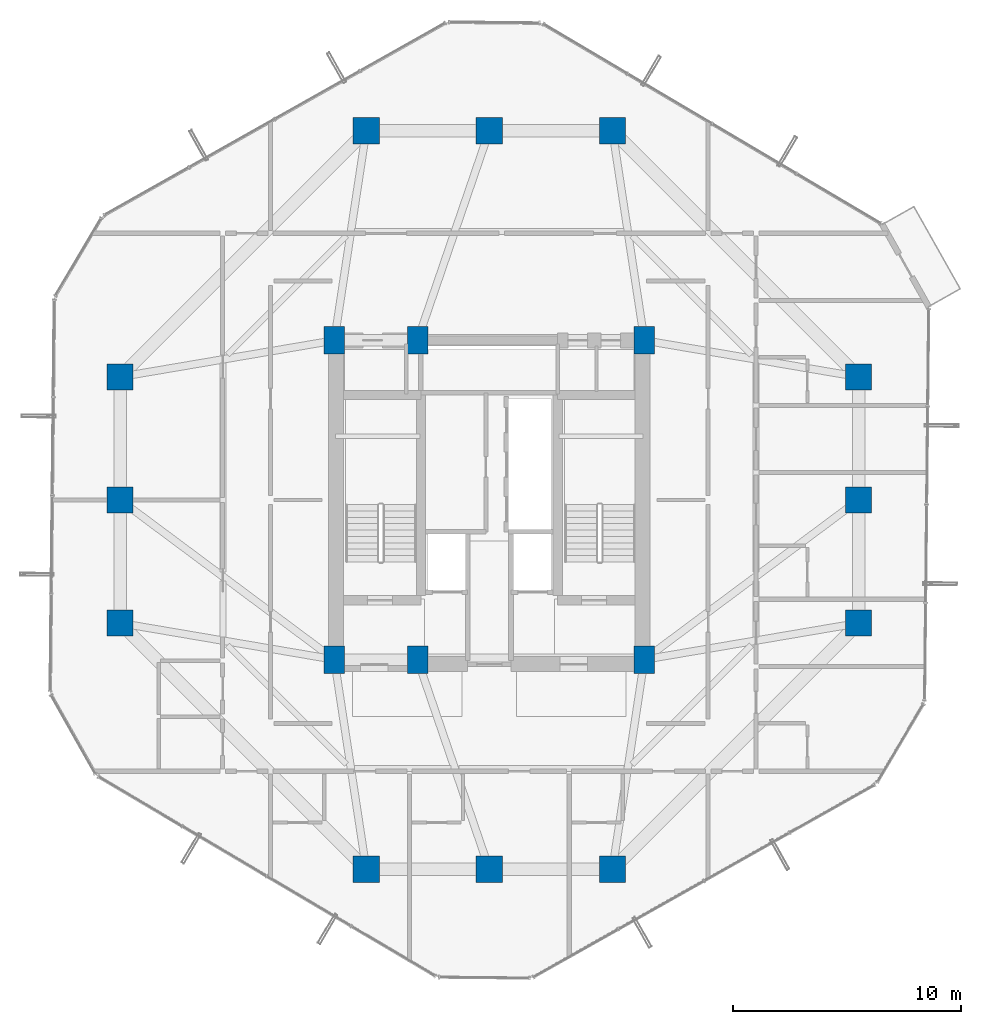
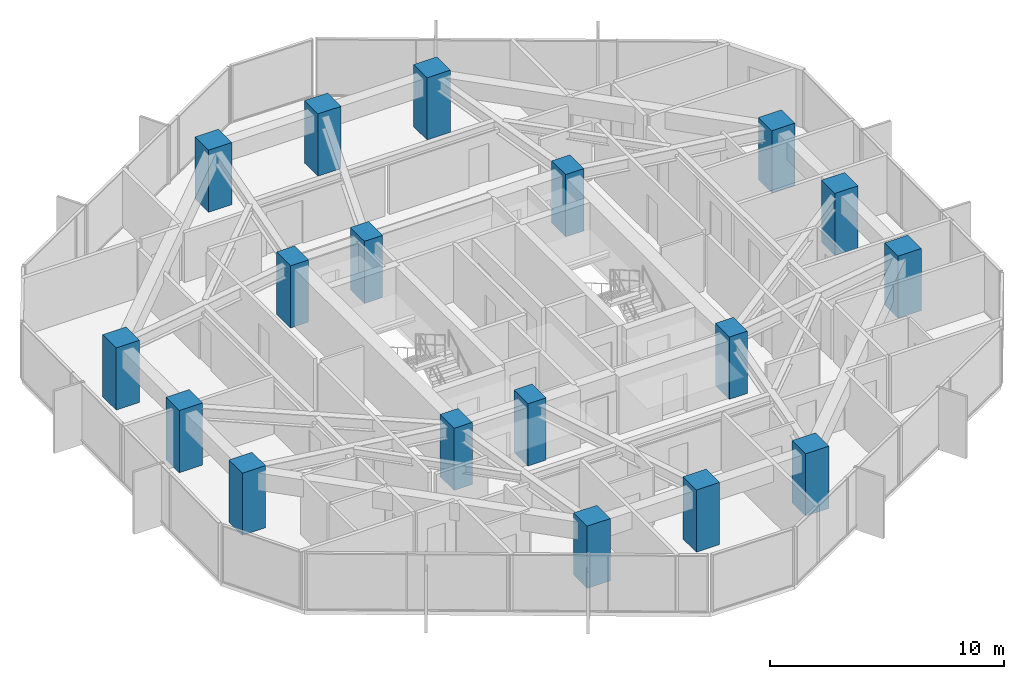
# One storey, part 1 of 30: 18 columns.
"""IFC4 building model written with IfcOpenShell, lengths in metres."""

from ifc_helpers import new_model, si_unit, direction, frame, origin, origin_2d, place, context, subcontext, project, spatial, rectangle, extrude, material, material_profile, profile_set, type_object, element, save


model = new_model("IFC4")

# Units and contexts
model_context = context("Model", 3, precision=1e-05, world=origin(), true_north=direction((0.0, 1.0)))
body_context = subcontext(model_context, "Body", "Model", "MODEL_VIEW")
ifc_project = project(units=[si_unit("LENGTHUNIT", "METRE"), si_unit("AREAUNIT", "SQUARE_METRE"), si_unit("VOLUMEUNIT", "CUBIC_METRE"), si_unit("PLANEANGLEUNIT", "RADIAN"), si_unit("MASSUNIT", "GRAM", prefix="KILO")], contexts=[model_context])

# Site, building, storey
site_placement = place(None, origin())
site = spatial("IfcSite", under=ifc_project, at=site_placement, CompositionType="ELEMENT")
building_placement = place(site_placement, origin())
building = spatial("IfcBuilding", under=site, at=building_placement, Name="Veraguas Prism Commons", CompositionType="ELEMENT")
storey_placement = place(building_placement, frame((0.0, 0.0, 126.25)))
storey = spatial("IfcBuildingStorey", under=building, at=storey_placement, Name="L35", CompositionType="ELEMENT", Elevation=126.25)

# Columns
ifc_material = material(Name="Concrete C60/75", Category="concrete")
ifc_material_profile_1 = material_profile(ifc_material, rectangle(XDim=1.14990234375, YDim=1.14990234375, at=origin_2d()), Name="RC1150X1150")
ifc_profile_set_1 = profile_set([ifc_material_profile_1], Name="Concrete C60/75")
column_type_1 = type_object("IfcColumnType", Name="Column Tube Z2 RC 1150x1150", PredefinedType="COLUMN", material=ifc_profile_set_1)
for number, where, z_axis, x_axis, name in (
    (1, (40.199951171875, 18.60009765625, 0.0), (0.0, 0.0, 1.0), (1.0, 0.0, 0.0), "Tower Perimeter Column L35-TB01"),
    (2, (40.199951171875, 24.0, 0.0), (0.0, 0.0, 1.0), (1.0, 0.0, 0.0), "Tower Perimeter Column L35-TB02"),
    (3, (40.199951171875, 29.39990234375, 0.0), (0.0, 0.0, 1.0), (1.0, 0.0, 0.0), "Tower Perimeter Column L35-TB03"),
    (4, (29.39990234375, 40.199951171875, 0.0), (0.0, 0.0, 1.0), (1.0, 0.0, 0.0), "Tower Perimeter Column L35-TB04"),
    (5, (24.0, 40.199951171875, 0.0), (0.0, 0.0, 1.0), (1.0, 0.0, 0.0), "Tower Perimeter Column L35-TB05"),
    (6, (18.60009765625, 40.199951171875, 0.0), (0.0, 0.0, 1.0), (1.0, 0.0, 0.0), "Tower Perimeter Column L35-TB06"),
    (7, (7.800048828125, 29.39990234375, 0.0), (0.0, 0.0, 1.0), (1.0, 0.0, 0.0), "Tower Perimeter Column L35-TB07"),
    (8, (7.800048828125, 24.0, 0.0), (0.0, 0.0, 1.0), (1.0, 0.0, 0.0), "Tower Perimeter Column L35-TB08"),
    (9, (7.800048828125, 18.60009765625, 0.0), (0.0, 0.0, 1.0), (1.0, 0.0, 0.0), "Tower Perimeter Column L35-TB09"),
    (10, (18.60009765625, 7.800048828125, 0.0), (0.0, 0.0, 1.0), (1.0, 0.0, 0.0), "Tower Perimeter Column L35-TB10"),
    (11, (24.0, 7.800048828125, 0.0), (0.0, 0.0, 1.0), (1.0, 0.0, 0.0), "Tower Perimeter Column L35-TB11"),
    (12, (29.39990234375, 7.800048828125, 0.0), (0.0, 0.0, 1.0), (1.0, 0.0, 0.0), "Tower Perimeter Column L35-TB12"),
):
    element("IfcColumn", number, at=place(storey_placement, frame(where, z_axis=z_axis, x_axis=x_axis)), inside=storey, type_object=column_type_1, Name=name, PredefinedType="COLUMN", context=body_context, shape_type="SweptSolid", body=[
        extrude(rectangle(XDim=1.14990234375, YDim=1.14990234375, at=origin_2d()), origin(), (0.0, 0.0, 1.0), 3.25),
    ])
ifc_material_profile_2 = material_profile(ifc_material, rectangle(XDim=0.89990234375, YDim=1.199951171875, at=origin_2d()), Name="RC900X1200")
ifc_profile_set_2 = profile_set([ifc_material_profile_2], Name="Concrete C60/75")
column_type_2 = type_object("IfcColumnType", Name="Pilaster Core Lower RC 900x1200", PredefinedType="PILASTER", material=ifc_profile_set_2)
for number, where, z_axis, x_axis, name in (
    (13, (17.199951171875, 17.0, 0.0), (0.0, 0.0, 1.0), (1.0, 0.0, 0.0), "Core Pilaster Column L35-CR1"),
    (14, (20.85009765625, 17.0, 0.0), (0.0, 0.0, 1.0), (1.0, 0.0, 0.0), "Core Pilaster Column L35-CR2"),
    (15, (30.800048828125, 17.0, 0.0), (0.0, 0.0, 1.0), (1.0, 0.0, 0.0), "Core Pilaster Column L35-CR3"),
    (16, (17.199951171875, 31.0, 0.0), (0.0, 0.0, 1.0), (1.0, 0.0, 0.0), "Core Pilaster Column L35-CR4"),
    (17, (20.85009765625, 31.0, 0.0), (0.0, 0.0, 1.0), (1.0, 0.0, 0.0), "Core Pilaster Column L35-CR5"),
    (18, (30.800048828125, 31.0, 0.0), (0.0, 0.0, 1.0), (1.0, 0.0, 0.0), "Core Pilaster Column L35-CR6"),
):
    element("IfcColumn", number, at=place(storey_placement, frame(where, z_axis=z_axis, x_axis=x_axis)), inside=storey, type_object=column_type_2, Name=name, PredefinedType="PILASTER", context=body_context, shape_type="SweptSolid", body=[
        extrude(rectangle(XDim=0.89990234375, YDim=1.199951171875, at=origin_2d()), origin(), (0.0, 0.0, 1.0), 3.25),
    ])

save(model, "model.ifc")
